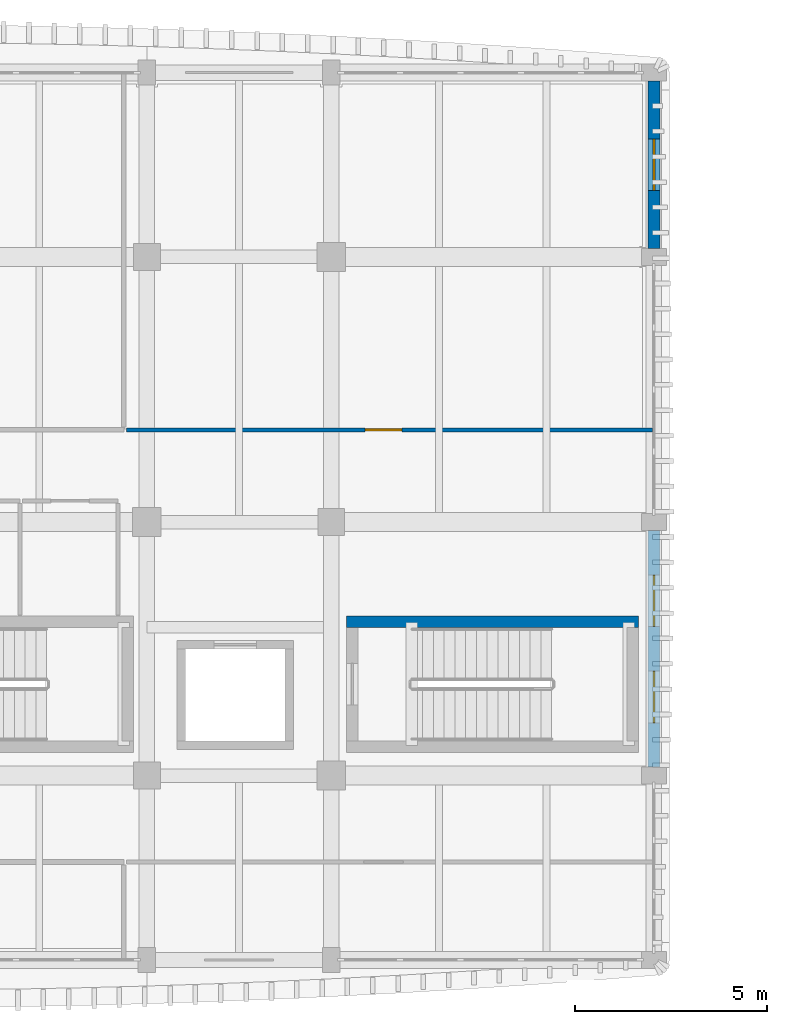
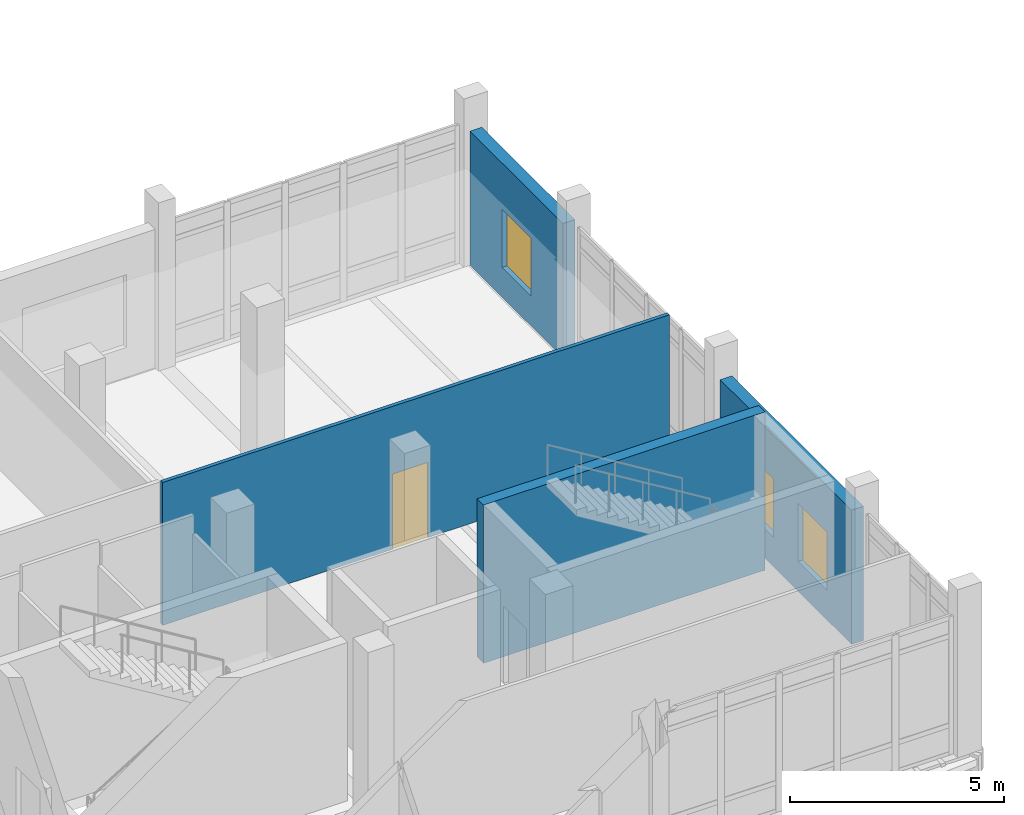
# One storey, part 22 of 37: 4 walls, 3 windows, 1 door, 4 openings.
"""IFC4 building model written with IfcOpenShell, lengths in metres."""

from ifc_helpers import new_model, si_unit, direction, frame, frame_2d, origin, place, context, subcontext, project, spatial, rectangle, extrude, material, layer, layer_set, type_object, element, fill, save


model = new_model("IFC4")

# Units and contexts
model_context = context("Model", 3, precision=1e-05, world=origin(), true_north=direction((0.0, 1.0)))
body_context = subcontext(model_context, "Body", "Model", "MODEL_VIEW")
ifc_project = project(units=[si_unit("LENGTHUNIT", "METRE"), si_unit("AREAUNIT", "SQUARE_METRE"), si_unit("VOLUMEUNIT", "CUBIC_METRE"), si_unit("PLANEANGLEUNIT", "RADIAN"), si_unit("MASSUNIT", "GRAM", prefix="KILO")], contexts=[model_context])

# Site, building, storey
site_placement = place(None, origin())
site = spatial("IfcSite", under=ifc_project, at=site_placement, CompositionType="ELEMENT")
building_placement = place(site_placement, origin())
building = spatial("IfcBuilding", under=site, at=building_placement, Name="Dornvale Research Institute", CompositionType="ELEMENT")
storey_placement = place(building_placement, frame((0.0, 0.0, 29.39990234375)))
storey = spatial("IfcBuildingStorey", under=building, at=storey_placement, Name="L06", CompositionType="ELEMENT", Elevation=29.39990234375)

# Wall, opening, door
ifc_material_1 = material(Name="Acoustic Insulated Double-Stud Laboratory Partition")
ifc_layer_1 = layer(ifc_material_1, 0.10009765625)
ifc_layer_set_1 = layer_set([ifc_layer_1], Name="Acoustic Insulated Double-Stud Laboratory Partition")
wall_type_1 = type_object("IfcWallType", Name="Partition_Office_100", PredefinedType="PARTITIONING", material=ifc_layer_set_1)
wall_1_placement = place(storey_placement, frame((27.675048828125, 112.800048828125, 0.0), z_axis=(0.0, 0.0, 1.0), x_axis=(1.0, 0.0, 0.0)))
wall_1 = element("IfcWall", 1, at=wall_1_placement, inside=storey, type_object=wall_type_1, Name="L06 V5 interior partition #511", PredefinedType="PARTITIONING", context=body_context, shape_type="SweptSolid", body=[
    extrude(rectangle(XDim=13.68505859375, YDim=0.10009765625, at=frame_2d((6.842529296875, 0.0))), origin(), (0.0, 0.0, 1.0), 4.080078125),
])
opening_1_placement = place(wall_1_placement, frame((6.205078125, 0.0, 0.0)))
opening_1 = element("IfcOpeningElement", 2, at=opening_1_placement, cuts=wall_1, Name="Opening ID-22", PredefinedType="OPENING", context=body_context, shape_type="SweptSolid", body=[
    extrude(rectangle(XDim=0.9599609375, YDim=2.14990234375, at=frame_2d((0.47998046875, 1.074951171875))), frame((0.0, 0.06494140625, 0.0), z_axis=(0.0, -1.0, 0.0), x_axis=(1.0, 0.0, 0.0)), (0.0, 0.0, 1.0), 0.130126953125),
])
ifc_material_2 = material(Name="Phenolic-Faced Solid-Core Laboratory Door Assembly")
door_type = type_object("IfcDoorType", Name="Door_Office_960x2150", OperationType="SINGLE_SWING_LEFT", PredefinedType="DOOR", material=ifc_material_2)
door_placement = place(opening_1_placement, origin())
door = element("IfcDoor", 3, at=door_placement, inside=storey, type_object=door_type, Name="L06 Visiting Fellows Office Suite L06 door #210", OperationType="SINGLE_SWING_LEFT", OverallHeight=2.14990234375, OverallWidth=0.9599609375, PredefinedType="DOOR", context=body_context, shape_type="SweptSolid", body=[
    extrude(rectangle(XDim=0.9599609375, YDim=2.14990234375, at=frame_2d((0.47998046875, 1.074951171875))), frame((0.0, 0.02490234375, 0.0), z_axis=(0.0, -1.0, 0.0), x_axis=(1.0, 0.0, 0.0)), (0.0, 0.0, 1.0), 0.050048828125),
])
fill(opening_1, door)

# Wall
ifc_material_3 = material(Name="Concrete f'c 50 MPa (C40/50)", Category="concrete")
ifc_layer_2 = layer(ifc_material_3, 0.300048828125)
ifc_layer_set_2 = layer_set([ifc_layer_2], Name="Concrete f'c 50 MPa (C40/50)")
wall_type_2 = type_object("IfcWallType", Name="ShearWall_Core_300", PredefinedType="SHEAR", material=ifc_layer_set_2)
wall_2_placement = place(storey_placement, frame((33.39990234375, 107.81005859375, 0.0), z_axis=(0.0, 0.0, 1.0), x_axis=(1.0, 0.0, 0.0)))
element("IfcWall", 4, at=wall_2_placement, inside=storey, type_object=wall_type_2, Name="L06 ST-2 shaft shear wall north", PredefinedType="SHEAR", context=body_context, shape_type="SweptSolid", body=[
    extrude(rectangle(XDim=7.60009765625, YDim=0.300048828125, at=frame_2d((3.800048828125, 0.0))), origin(), (0.0, 0.0, 1.0), 4.52001953125),
])

# Wall, opening, window
ifc_material_4 = material(Name="Catalan Pressed Brick and Insulated Cavity Assembly", Category="masonry")
ifc_layer_3 = layer(ifc_material_4, 0.320068359375)
ifc_layer_set_3 = layer_set([ifc_layer_3], Name="Catalan Pressed Brick and Insulated Cavity Assembly")
wall_type_3 = type_object("IfcWallType", Name="StandardWall_BrickCavity_320", PredefinedType="STANDARD", material=ifc_layer_set_3)
wall_3_placement = place(storey_placement, frame((41.39990234375, 121.875, 0.0), z_axis=(0.0, 0.0, 1.0), x_axis=(0.0, -1.0, 0.0)))
wall_3 = element("IfcWall", 5, at=wall_3_placement, inside=storey, type_object=wall_type_3, Name="L06 V5 east exterior wall #376", PredefinedType="STANDARD", context=body_context, shape_type="SweptSolid", body=[
    extrude(rectangle(XDim=4.35009765625, YDim=0.320068359375, at=frame_2d((2.175048828125, 0.0))), origin(), (0.0, 0.0, 1.0), 3.830078125),
])
opening_2_placement = place(wall_3_placement, frame((1.5, 0.0, 0.85009765625)))
opening_2 = element("IfcOpeningElement", 6, at=opening_2_placement, cuts=wall_3, Name="Opening W-02", PredefinedType="OPENING", context=body_context, shape_type="SweptSolid", body=[
    extrude(rectangle(XDim=1.35009765625, YDim=1.659912109375, at=frame_2d((0.675048828125, 0.830078125))), frame((0.0, 0.175048828125, 0.0), z_axis=(0.0, -1.0, 0.0), x_axis=(1.0, 0.0, 0.0)), (0.0, 0.0, 1.0), 0.35009765625),
])
ifc_material_5 = material(Name="Low-E Argon Double Insulating Glazing Unit", Category="glass")
window_type = type_object("IfcWindowType", Name="Window_Alu_1350x1660_02", PartitioningType="SINGLE_PANEL", PredefinedType="WINDOW", material=ifc_material_5)
window_1_placement = place(opening_2_placement, origin())
window_1 = element("IfcWindow", 7, at=window_1_placement, inside=storey, type_object=window_type, Name="L06 V5 facade window W-02 #500", OverallHeight=1.659912109375, OverallWidth=1.35009765625, PartitioningType="SINGLE_PANEL", PredefinedType="WINDOW", context=body_context, shape_type="SweptSolid", body=[
    extrude(rectangle(XDim=1.35009765625, YDim=1.659912109375, at=frame_2d((0.675048828125, 0.830078125))), frame((0.0, 0.030029296875, 0.0), z_axis=(0.0, -1.0, 0.0), x_axis=(1.0, 0.0, 0.0)), (0.0, 0.0, 1.0), 0.06005859375),
])
fill(opening_2, window_1)

# Wall, openings, windows
wall_4_placement = place(storey_placement, frame((41.39990234375, 110.175048828125, 0.0), z_axis=(0.0, 0.0, 1.0), x_axis=(0.0, -1.0, 0.0)))
wall_4 = element("IfcWall", 8, at=wall_4_placement, inside=storey, type_object=wall_type_3, Name="L06 V5 east exterior wall #377", PredefinedType="STANDARD", context=body_context, shape_type="SweptSolid", body=[
    extrude(rectangle(XDim=6.150146484375, YDim=0.320068359375, at=frame_2d((3.0751953125, 0.0))), origin(), (0.0, 0.0, 1.0), 3.830078125),
])
opening_3_placement = place(wall_4_placement, frame((1.14990234375, 0.0, 0.85009765625)))
opening_3 = element("IfcOpeningElement", 9, at=opening_3_placement, cuts=wall_4, Name="Opening W-02", PredefinedType="OPENING", context=body_context, shape_type="SweptSolid", body=[
    extrude(rectangle(XDim=1.35009765625, YDim=1.659912109375, at=frame_2d((0.675048828125, 0.830078125))), frame((0.0, 0.175048828125, 0.0), z_axis=(0.0, -1.0, 0.0), x_axis=(1.0, 0.0, 0.0)), (0.0, 0.0, 1.0), 0.35009765625),
])
opening_4_placement = place(wall_4_placement, frame((3.64990234375, 0.0, 0.85009765625)))
opening_4 = element("IfcOpeningElement", 10, at=opening_4_placement, cuts=wall_4, Name="Opening W-02", PredefinedType="OPENING", context=body_context, shape_type="SweptSolid", body=[
    extrude(rectangle(XDim=1.35009765625, YDim=1.659912109375, at=frame_2d((0.675048828125, 0.830078125))), frame((0.0, 0.175048828125, 0.0), z_axis=(0.0, -1.0, 0.0), x_axis=(1.0, 0.0, 0.0)), (0.0, 0.0, 1.0), 0.35009765625),
])
window_2_placement = place(opening_3_placement, origin())
window_2 = element("IfcWindow", 11, at=window_2_placement, inside=storey, type_object=window_type, Name="L06 V5 facade window W-02 #501", OverallHeight=1.659912109375, OverallWidth=1.35009765625, PartitioningType="SINGLE_PANEL", PredefinedType="WINDOW", context=body_context, shape_type="SweptSolid", body=[
    extrude(rectangle(XDim=1.35009765625, YDim=1.659912109375, at=frame_2d((0.675048828125, 0.830078125))), frame((0.0, 0.030029296875, 0.0), z_axis=(0.0, -1.0, 0.0), x_axis=(1.0, 0.0, 0.0)), (0.0, 0.0, 1.0), 0.06005859375),
])
fill(opening_3, window_2)
window_3_placement = place(opening_4_placement, origin())
window_3 = element("IfcWindow", 12, at=window_3_placement, inside=storey, type_object=window_type, Name="L06 V5 facade window W-02 #502", OverallHeight=1.659912109375, OverallWidth=1.35009765625, PartitioningType="SINGLE_PANEL", PredefinedType="WINDOW", context=body_context, shape_type="SweptSolid", body=[
    extrude(rectangle(XDim=1.35009765625, YDim=1.659912109375, at=frame_2d((0.675048828125, 0.830078125))), frame((0.0, 0.030029296875, 0.0), z_axis=(0.0, -1.0, 0.0), x_axis=(1.0, 0.0, 0.0)), (0.0, 0.0, 1.0), 0.06005859375),
])
fill(opening_4, window_3)

save(model, "model.ifc")
